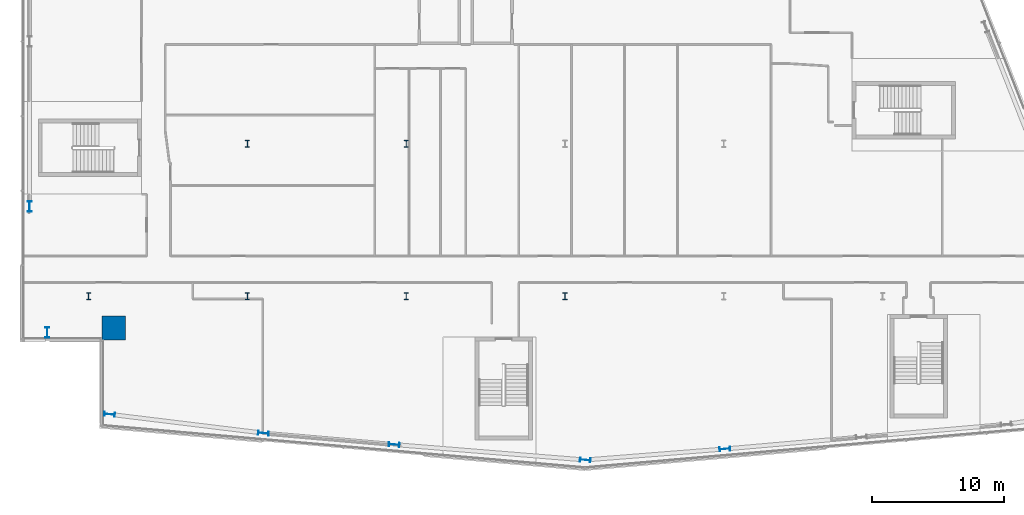
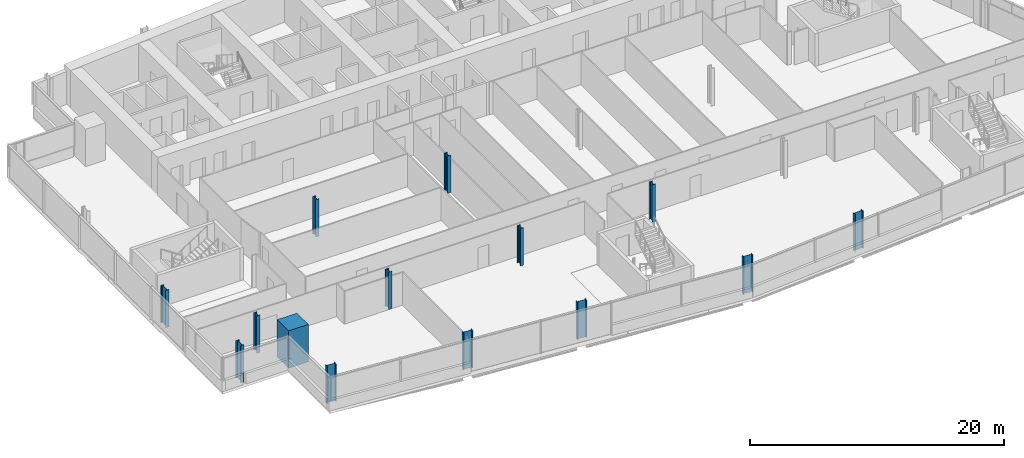
# One storey, part 1 of 25: 14 columns.
"""IFC4 building model written with IfcOpenShell, lengths in metres."""

from ifc_helpers import new_model, si_unit, direction, frame, origin, origin_2d, place, context, subcontext, project, spatial, rectangle, i_section, extrude, material, material_profile, profile_set, type_object, element, save


model = new_model("IFC4")

# Units and contexts
model_context = context("Model", 3, precision=1e-05, world=origin(), true_north=direction((0.0, 1.0)))
body_context = subcontext(model_context, "Body", "Model", "MODEL_VIEW")
ifc_project = project(units=[si_unit("LENGTHUNIT", "METRE"), si_unit("AREAUNIT", "SQUARE_METRE"), si_unit("VOLUMEUNIT", "CUBIC_METRE"), si_unit("PLANEANGLEUNIT", "RADIAN"), si_unit("MASSUNIT", "GRAM", prefix="KILO")], contexts=[model_context])

# Site, building, storey
site_placement = place(None, origin())
site = spatial("IfcSite", under=ifc_project, at=site_placement, CompositionType="ELEMENT")
building_placement = place(site_placement, origin())
building = spatial("IfcBuilding", under=site, at=building_placement, Name="Wharfspan Tower", CompositionType="ELEMENT")
storey_placement = place(building_placement, frame((0.0, 0.0, 143.5)))
storey = spatial("IfcBuildingStorey", under=building, at=storey_placement, Name="L34", CompositionType="ELEMENT", Elevation=143.5)

# Columns
ifc_material_1 = material(Name="Steel S355J2", Category="steel")
ifc_material_profile_1 = material_profile(ifc_material_1, i_section(OverallWidth=0.305908, OverallDepth=0.523926, WebThickness=0.020996, FlangeThickness=0.040039, FilletRadius=0.0271, at=origin_2d()))
ifc_profile_set_1 = profile_set([ifc_material_profile_1], Name="Steel S355J2")
column_type_1 = type_object("IfcColumnType", Name="Column HEM 500", PredefinedType="COLUMN", material=ifc_profile_set_1)
for number, where, z_axis, x_axis, name in (
    (1, (12.0, 11.5, 0.0), (0.0, 0.0, 1.0), (1.0, 0.0, 0.0), "Interior column I.1.1 L34"),
    (2, (24.0, 11.5, 0.0), (0.0, 0.0, 1.0), (1.0, 0.0, 0.0), "Interior column I.1.2 L34"),
    (3, (36.0, 11.5, 0.0), (0.0, 0.0, 1.0), (1.0, 0.0, 0.0), "Interior column I.1.3 L34"),
    (4, (48.0, 11.5, 0.0), (0.0, 0.0, 1.0), (1.0, 0.0, 0.0), "Interior column I.1.4 L34"),
    (5, (24.0, 23.0, 0.0), (0.0, 0.0, 1.0), (1.0, 0.0, 0.0), "Interior column I.2.1 L34"),
    (6, (36.0, 23.0, 0.0), (0.0, 0.0, 1.0), (1.0, 0.0, 0.0), "Interior column I.2.2 L34"),
):
    element("IfcColumn", number, at=place(storey_placement, frame(where, z_axis=z_axis, x_axis=x_axis)), inside=storey, type_object=column_type_1, Name=name, PredefinedType="COLUMN", context=body_context, shape_type="SweptSolid", body=[
        extrude(i_section(OverallWidth=0.305908, OverallDepth=0.523926, WebThickness=0.020996, FlangeThickness=0.040039, FilletRadius=0.0271, at=origin_2d()), origin(), (0.0, 0.0, 1.0), 3.600098),
    ])
ifc_material_profile_2 = material_profile(ifc_material_1, i_section(OverallWidth=0.302979, OverallDepth=0.813965, WebThickness=0.020996, FlangeThickness=0.040039, FilletRadius=0.030029, at=origin_2d()))
ifc_profile_set_2 = profile_set([ifc_material_profile_2], Name="Steel S355J2")
column_type_2 = type_object("IfcColumnType", Name="Column HEM 800", PredefinedType="COLUMN", material=ifc_profile_set_2)
for number, where, z_axis, x_axis, name in (
    (7, (13.590576, 2.569336, 0.0), (0.0, 0.0, 1.0), (-0.087156, -0.996198, 0.0), "Perimeter column PS1.1 L34"),
    (8, (25.213623, 1.148682, 0.0), (0.0, 0.0, 1.0), (-0.087156, -0.996198, 0.0), "Perimeter column PS1.2 L34"),
    (9, (35.089111, 0.284668, 0.0), (0.0, 0.0, 1.0), (-0.087156, -0.996198, 0.0), "Perimeter column PS1.3 L34"),
    (10, (49.53125, -0.881592, 0.0), (0.0, 0.0, 1.0), (-0.087156, -0.996198, 0.0), "Perimeter column PS1.4 L34"),
    (11, (60.077881, -0.050781, 0.0), (0.0, 0.0, 1.0), (0.087156, -0.996198, 0.0), "Perimeter column PS2.1 L34"),
    (12, (7.540039, 18.266602, 0.0), (0.0, 0.0, 1.0), (-1.0, 0.0, 0.0), "Perimeter column PW.2 L34"),
    (13, (8.884521, 8.742676, 0.0), (0.0, 0.0, 1.0), (-1.0, 0.0, 0.0), "Perimeter column PW.3 L34"),
):
    element("IfcColumn", number, at=place(storey_placement, frame(where, z_axis=z_axis, x_axis=x_axis)), inside=storey, type_object=column_type_2, Name=name, PredefinedType="COLUMN", context=body_context, shape_type="SweptSolid", body=[
        extrude(i_section(OverallWidth=0.302979, OverallDepth=0.813965, WebThickness=0.020996, FlangeThickness=0.040039, FilletRadius=0.030029, at=origin_2d()), origin(), (0.0, 0.0, 1.0), 3.600098),
    ])
ifc_material_2 = material(Name="Concrete C70/85", Category="concrete")
ifc_material_profile_3 = material_profile(ifc_material_2, rectangle(XDim=1.800049, YDim=1.800049, at=origin_2d()))
ifc_profile_set_3 = profile_set([ifc_material_profile_3], Name="Concrete C70/85")
column_type_3 = type_object("IfcColumnType", Name="Mega column 1800 C70/85", PredefinedType="COLUMN", material=ifc_profile_set_3)
column_placement = place(storey_placement, frame((13.899902, 9.100098, 0.0), z_axis=(0.0, 0.0, 1.0), x_axis=(1.0, 0.0, 0.0)))
element("IfcColumn", 14, at=column_placement, inside=storey, type_object=column_type_3, Name="Mega column MC1 L34", PredefinedType="COLUMN", context=body_context, shape_type="SweptSolid", body=[
    extrude(rectangle(XDim=1.800049, YDim=1.800049, at=origin_2d()), origin(), (0.0, 0.0, 1.0), 3.600098),
])

save(model, "model.ifc")
